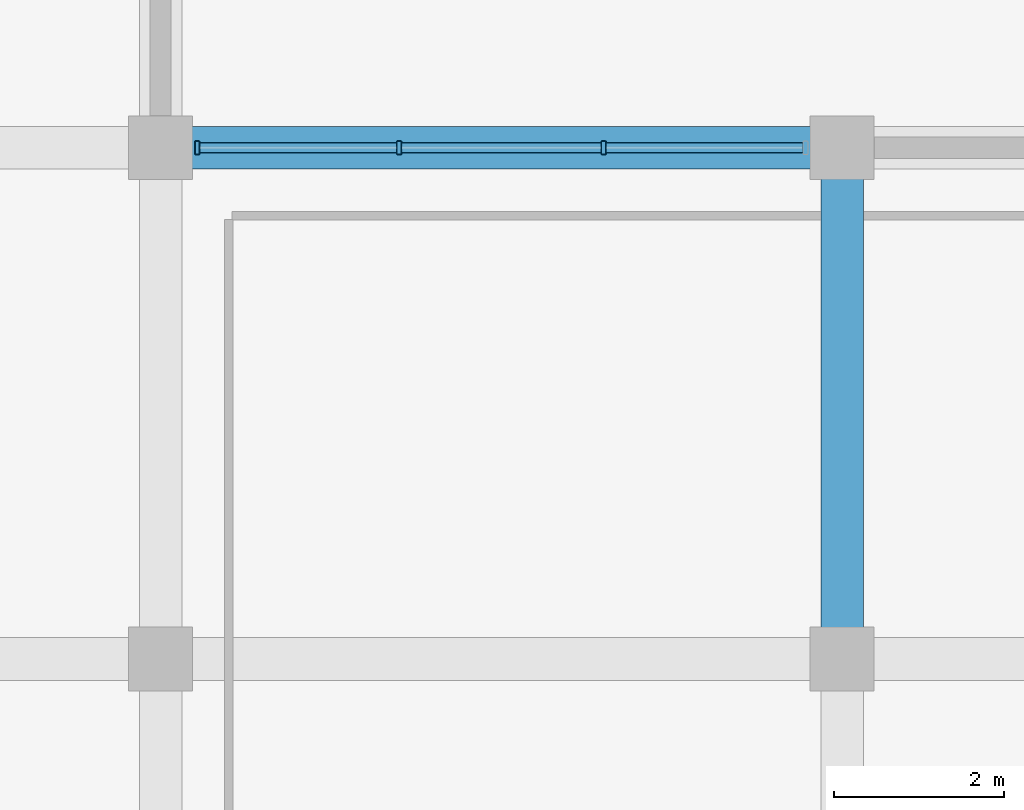
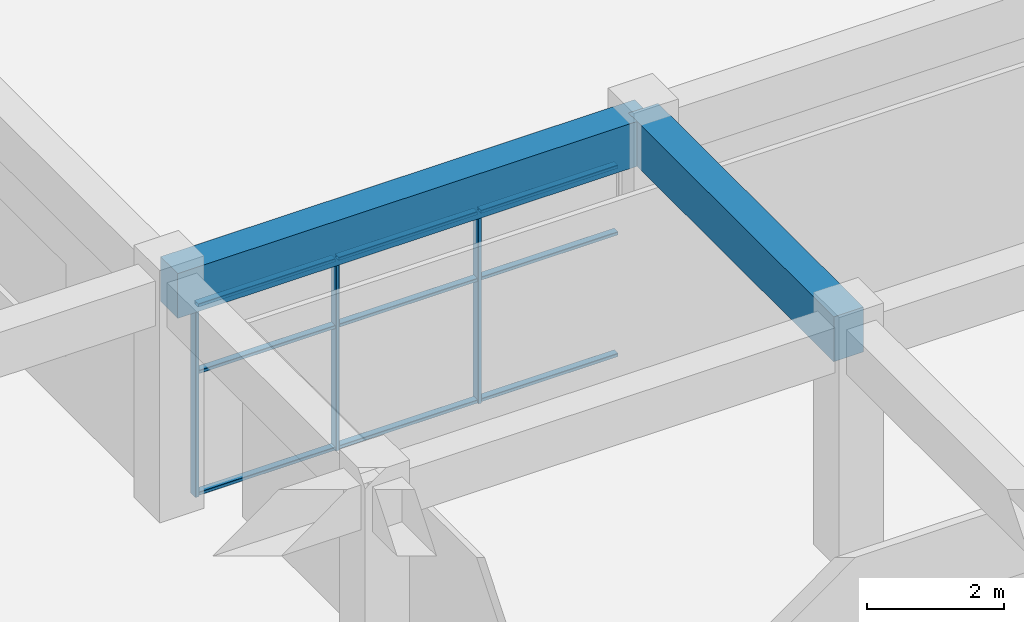
# One storey, part 10 of 40: 12 members, 2 beams, 1 element without a shape of its own.
"""IFC4 building model written with IfcOpenShell, lengths in metres."""

from ifc_helpers import new_model, si_unit, direction, frame, origin, origin_2d, place, context, subcontext, project, spatial, rectangle, hollow_rectangle, extrude, material, layer, layer_set, material_profile, profile_set, type_object, element, aggregate, save


model = new_model("IFC4")

# Units and contexts
model_context = context("Model", 3, precision=1e-05, world=origin(), true_north=direction((0.0, 1.0)))
body_context = subcontext(model_context, "Body", "Model", "MODEL_VIEW")
ifc_project = project(units=[si_unit("LENGTHUNIT", "METRE"), si_unit("AREAUNIT", "SQUARE_METRE"), si_unit("VOLUMEUNIT", "CUBIC_METRE"), si_unit("PLANEANGLEUNIT", "RADIAN"), si_unit("MASSUNIT", "GRAM", prefix="KILO")], contexts=[model_context])

# Site, building, storey
site_placement = place(None, origin())
site = spatial("IfcSite", under=ifc_project, at=site_placement, CompositionType="ELEMENT")
building_placement = place(site_placement, origin())
building = spatial("IfcBuilding", under=site, at=building_placement, Name="Kelanora Arch Commons", CompositionType="ELEMENT")
storey_placement = place(building_placement, origin())
storey = spatial("IfcBuildingStorey", under=building, at=storey_placement, Name="L00", CompositionType="ELEMENT", Elevation=0.0)

# Beams
ifc_material_1 = material(Name="Concrete C40/50", Category="concrete")
ifc_material_profile_1 = material_profile(ifc_material_1, rectangle(XDim=0.5, YDim=0.800048828125, at=origin_2d()), Name="RCB500x800")
ifc_profile_set_1 = profile_set([ifc_material_profile_1], Name="Concrete C40/50")
beam_type = type_object("IfcBeamType", Name="BM-MKT-RC1", PredefinedType="BEAM", material=ifc_profile_set_1)
beam_1_placement = place(storey_placement, frame((36.0, 26.0, 3.840087890625), z_axis=(1.0, 0.0, 0.0), x_axis=(0.0, 1.0, 0.0)))
element("IfcBeam", 1, at=beam_1_placement, inside=storey, type_object=beam_type, Name="Market/Basement Frame Beam 086 L00", PredefinedType="BEAM", context=body_context, shape_type="SweptSolid", body=[
    extrude(rectangle(XDim=0.5, YDim=0.800048828125, at=origin_2d()), origin(), (0.0, 0.0, 1.0), 8.0),
])
beam_2_placement = place(storey_placement, frame((44.0, 20.0, 3.840087890625), z_axis=(0.0, 1.0, 0.0), x_axis=(-1.0, 0.0, 0.0)))
element("IfcBeam", 2, at=beam_2_placement, inside=storey, type_object=beam_type, Name="Market/Basement Frame Beam 099 L00", PredefinedType="BEAM", context=body_context, shape_type="SweptSolid", body=[
    extrude(rectangle(XDim=0.5, YDim=0.800048828125, at=origin_2d()), origin(), (0.0, 0.0, 1.0), 6.0),
])

# Curtain wall, members
ifc_material_2 = material(Name="Terracotta ceramic-fritted low-E glass and aluminium", Category="masonry")
ifc_layer = layer(ifc_material_2, 0.16796875)
ifc_layer_set = layer_set([ifc_layer], Name="Terracotta ceramic-fritted low-E glass and aluminium")
curtain_wall_type = type_object("IfcCurtainWallType", Name="CW-SYS-07", PredefinedType="NOTDEFINED", material=ifc_layer_set)
curtain_wall_placement = place(storey_placement, origin())
curtain_wall = element("IfcCurtainWall", 3, at=curtain_wall_placement, inside=storey, type_object=curtain_wall_type, Name="Market Hall Arcade Curtain Wall L00-22", PredefinedType="NOTDEFINED")
ifc_material_3 = material(Name="Powder-coated aluminium terracotta", Category="masonry")
ifc_material_profile_2 = material_profile(ifc_material_3, hollow_rectangle(XDim=0.159912109375, YDim=0.06005859375, WallThickness=0.0048828125, InnerFilletRadius=0.0048828125, OuterFilletRadius=0.010009765625, at=origin_2d()), Name="CWM160x60")
ifc_profile_set_2 = profile_set([ifc_material_profile_2], Name="Powder-coated aluminium terracotta")
member_type_1 = type_object("IfcMemberType", Name="CWM-STD", PredefinedType="MULLION", material=ifc_profile_set_2)
member_1_placement = place(storey_placement, frame((41.199951171875, 26.0, 0.0), z_axis=(0.0, 0.0, 1.0), x_axis=(0.0, -1.0, 0.0)))
member_1 = element("IfcMember", 4, at=member_1_placement, type_object=member_type_1, Name="CW-07 mullion 2", PredefinedType="MULLION", context=body_context, shape_type="SweptSolid", body=[
    extrude(hollow_rectangle(XDim=0.159912109375, YDim=0.06005859375, WallThickness=0.0048828125, InnerFilletRadius=0.0048828125, OuterFilletRadius=0.010009765625, at=origin_2d()), origin(), (0.0, 0.0, 1.0), 3.419921875),
])
member_2_placement = place(storey_placement, frame((38.800048828125, 26.0, 0.0), z_axis=(0.0, 0.0, 1.0), x_axis=(0.0, -1.0, 0.0)))
member_2 = element("IfcMember", 5, at=member_2_placement, type_object=member_type_1, Name="CW-07 mullion 3", PredefinedType="MULLION", context=body_context, shape_type="SweptSolid", body=[
    extrude(hollow_rectangle(XDim=0.159912109375, YDim=0.06005859375, WallThickness=0.0048828125, InnerFilletRadius=0.0048828125, OuterFilletRadius=0.010009765625, at=origin_2d()), origin(), (0.0, 0.0, 1.0), 3.419921875),
])
member_3_placement = place(storey_placement, frame((36.429931640625, 26.0, 0.0), z_axis=(0.0, 0.0, 1.0), x_axis=(0.0, -1.0, 0.0)))
member_3 = element("IfcMember", 6, at=member_3_placement, type_object=member_type_1, Name="CW-07 mullion 4", PredefinedType="MULLION", context=body_context, shape_type="SweptSolid", body=[
    extrude(hollow_rectangle(XDim=0.159912109375, YDim=0.06005859375, WallThickness=0.0048828125, InnerFilletRadius=0.0048828125, OuterFilletRadius=0.010009765625, at=origin_2d()), origin(), (0.0, 0.0, 1.0), 3.419921875),
])
ifc_material_profile_3 = material_profile(ifc_material_3, hollow_rectangle(XDim=0.1201171875, YDim=0.06005859375, WallThickness=0.0048828125, InnerFilletRadius=0.0048828125, OuterFilletRadius=0.010009765625, at=origin_2d()), Name="CWT120x60")
ifc_profile_set_3 = profile_set([ifc_material_profile_3], Name="Powder-coated aluminium terracotta")
member_type_2 = type_object("IfcMemberType", Name="CWT-STD", PredefinedType="USERDEFINED", material=ifc_profile_set_3)
member_4_placement = place(storey_placement, frame((43.5400390625, 26.0, 0.030029296875), z_axis=(-1.0, 0.0, 0.0), x_axis=(0.0, -1.0, 0.0)))
member_4 = element("IfcMember", 7, at=member_4_placement, type_object=member_type_2, Name="CW-07 transom 1.1", ObjectType="TRANSOM", PredefinedType="USERDEFINED", context=body_context, shape_type="SweptSolid", body=[
    extrude(hollow_rectangle(XDim=0.1201171875, YDim=0.06005859375, WallThickness=0.0048828125, InnerFilletRadius=0.0048828125, OuterFilletRadius=0.010009765625, at=origin_2d()), origin(), (0.0, 0.0, 1.0), 2.31005859375),
])
member_5_placement = place(storey_placement, frame((43.5400390625, 26.0, 2.199951171875), z_axis=(-1.0, 0.0, 0.0), x_axis=(0.0, -1.0, 0.0)))
member_5 = element("IfcMember", 8, at=member_5_placement, type_object=member_type_2, Name="CW-07 transom 1.2", ObjectType="TRANSOM", PredefinedType="USERDEFINED", context=body_context, shape_type="SweptSolid", body=[
    extrude(hollow_rectangle(XDim=0.1201171875, YDim=0.06005859375, WallThickness=0.0048828125, InnerFilletRadius=0.0048828125, OuterFilletRadius=0.010009765625, at=origin_2d()), origin(), (0.0, 0.0, 1.0), 2.31005859375),
])
member_6_placement = place(storey_placement, frame((43.5400390625, 26.0, 3.389892578125), z_axis=(-1.0, 0.0, 0.0), x_axis=(0.0, -1.0, 0.0)))
member_6 = element("IfcMember", 9, at=member_6_placement, type_object=member_type_2, Name="CW-07 transom 1.3", ObjectType="TRANSOM", PredefinedType="USERDEFINED", context=body_context, shape_type="SweptSolid", body=[
    extrude(hollow_rectangle(XDim=0.1201171875, YDim=0.06005859375, WallThickness=0.0048828125, InnerFilletRadius=0.0048828125, OuterFilletRadius=0.010009765625, at=origin_2d()), origin(), (0.0, 0.0, 1.0), 2.31005859375),
])
member_7_placement = place(storey_placement, frame((41.169921875, 26.0, 0.030029296875), z_axis=(-1.0, 0.0, 0.0), x_axis=(0.0, -1.0, 0.0)))
member_7 = element("IfcMember", 10, at=member_7_placement, type_object=member_type_2, Name="CW-07 transom 2.1", ObjectType="TRANSOM", PredefinedType="USERDEFINED", context=body_context, shape_type="SweptSolid", body=[
    extrude(hollow_rectangle(XDim=0.1201171875, YDim=0.06005859375, WallThickness=0.0048828125, InnerFilletRadius=0.0048828125, OuterFilletRadius=0.010009765625, at=origin_2d()), origin(), (0.0, 0.0, 1.0), 2.33984375),
])
member_8_placement = place(storey_placement, frame((41.169921875, 26.0, 2.199951171875), z_axis=(-1.0, 0.0, 0.0), x_axis=(0.0, -1.0, 0.0)))
member_8 = element("IfcMember", 11, at=member_8_placement, type_object=member_type_2, Name="CW-07 transom 2.2", ObjectType="TRANSOM", PredefinedType="USERDEFINED", context=body_context, shape_type="SweptSolid", body=[
    extrude(hollow_rectangle(XDim=0.1201171875, YDim=0.06005859375, WallThickness=0.0048828125, InnerFilletRadius=0.0048828125, OuterFilletRadius=0.010009765625, at=origin_2d()), origin(), (0.0, 0.0, 1.0), 2.33984375),
])
member_9_placement = place(storey_placement, frame((41.169921875, 26.0, 3.389892578125), z_axis=(-1.0, 0.0, 0.0), x_axis=(0.0, -1.0, 0.0)))
member_9 = element("IfcMember", 12, at=member_9_placement, type_object=member_type_2, Name="CW-07 transom 2.3", ObjectType="TRANSOM", PredefinedType="USERDEFINED", context=body_context, shape_type="SweptSolid", body=[
    extrude(hollow_rectangle(XDim=0.1201171875, YDim=0.06005859375, WallThickness=0.0048828125, InnerFilletRadius=0.0048828125, OuterFilletRadius=0.010009765625, at=origin_2d()), origin(), (0.0, 0.0, 1.0), 2.33984375),
])
member_10_placement = place(storey_placement, frame((38.77001953125, 26.0, 0.030029296875), z_axis=(-1.0, 0.0, 0.0), x_axis=(0.0, -1.0, 0.0)))
member_10 = element("IfcMember", 13, at=member_10_placement, type_object=member_type_2, Name="CW-07 transom 3.1", ObjectType="TRANSOM", PredefinedType="USERDEFINED", context=body_context, shape_type="SweptSolid", body=[
    extrude(hollow_rectangle(XDim=0.1201171875, YDim=0.06005859375, WallThickness=0.0048828125, InnerFilletRadius=0.0048828125, OuterFilletRadius=0.010009765625, at=origin_2d()), origin(), (0.0, 0.0, 1.0), 2.31005859375),
])
member_11_placement = place(storey_placement, frame((38.77001953125, 26.0, 2.199951171875), z_axis=(-1.0, 0.0, 0.0), x_axis=(0.0, -1.0, 0.0)))
member_11 = element("IfcMember", 14, at=member_11_placement, type_object=member_type_2, Name="CW-07 transom 3.2", ObjectType="TRANSOM", PredefinedType="USERDEFINED", context=body_context, shape_type="SweptSolid", body=[
    extrude(hollow_rectangle(XDim=0.1201171875, YDim=0.06005859375, WallThickness=0.0048828125, InnerFilletRadius=0.0048828125, OuterFilletRadius=0.010009765625, at=origin_2d()), origin(), (0.0, 0.0, 1.0), 2.31005859375),
])
member_12_placement = place(storey_placement, frame((38.77001953125, 26.0, 3.389892578125), z_axis=(-1.0, 0.0, 0.0), x_axis=(0.0, -1.0, 0.0)))
member_12 = element("IfcMember", 15, at=member_12_placement, type_object=member_type_2, Name="CW-07 transom 3.3", ObjectType="TRANSOM", PredefinedType="USERDEFINED", context=body_context, shape_type="SweptSolid", body=[
    extrude(hollow_rectangle(XDim=0.1201171875, YDim=0.06005859375, WallThickness=0.0048828125, InnerFilletRadius=0.0048828125, OuterFilletRadius=0.010009765625, at=origin_2d()), origin(), (0.0, 0.0, 1.0), 2.31005859375),
])
aggregate(curtain_wall, [member_1, member_2, member_3, member_4, member_5, member_6, member_7, member_8, member_9, member_10, member_11, member_12])

save(model, "model.ifc")
